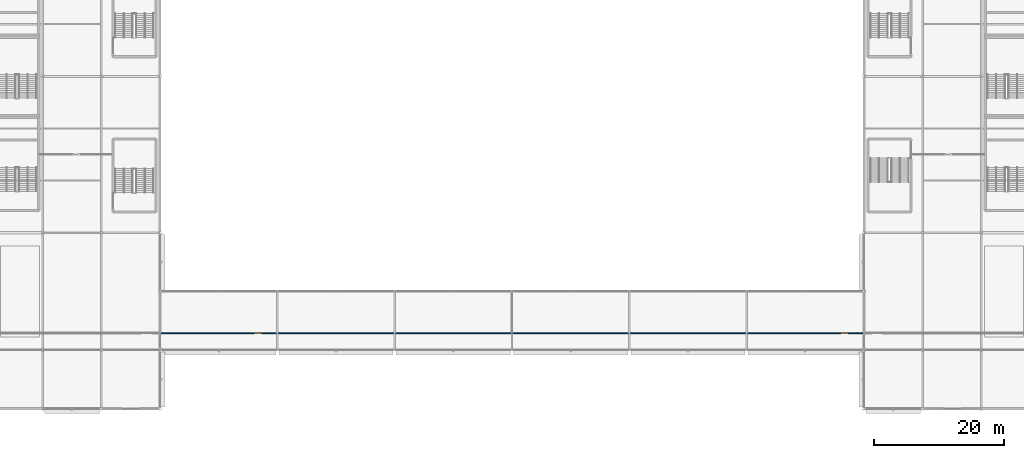
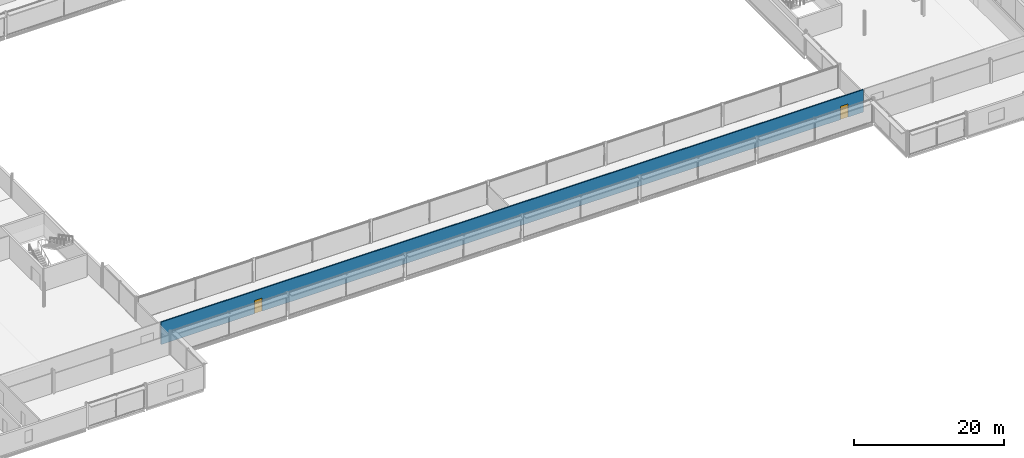
# One storey, part 55 of 96: 2 doors, 1 wall, 2 openings.
"""IFC4 building model written with IfcOpenShell, lengths in metres."""

from ifc_helpers import new_model, si_unit, direction, frame, frame_2d, origin, place, context, subcontext, project, spatial, rectangle, extrude, material, layer, layer_set, type_object, element, fill, save


model = new_model("IFC4")

# Units and contexts
model_context = context("Model", 3, precision=1e-05, world=origin(), true_north=direction((0.0, 1.0)))
body_context = subcontext(model_context, "Body", "Model", "MODEL_VIEW")
ifc_project = project(units=[si_unit("LENGTHUNIT", "METRE"), si_unit("AREAUNIT", "SQUARE_METRE"), si_unit("VOLUMEUNIT", "CUBIC_METRE"), si_unit("PLANEANGLEUNIT", "RADIAN"), si_unit("MASSUNIT", "GRAM", prefix="KILO")], contexts=[model_context])

# Site, building, storey
site_placement = place(None, origin())
site = spatial("IfcSite", under=ifc_project, at=site_placement, CompositionType="ELEMENT")
building_placement = place(site_placement, origin())
building = spatial("IfcBuilding", under=site, at=building_placement, Name="Kisiwana Market Hall", CompositionType="ELEMENT")
storey_placement = place(building_placement, frame((0.0, 0.0, 25.5)))
storey = spatial("IfcBuildingStorey", under=building, at=storey_placement, Name="L05", CompositionType="ELEMENT", Elevation=25.5)

# Wall, openings, doors
ifc_material_1 = material(Name="Masonry blockwork", Category="masonry")
ifc_layer = layer(ifc_material_1, 0.169921875, Name="Protected corridor partition")
ifc_layer_set = layer_set([ifc_layer], Name="WL-CORR-170")
wall_type = type_object("IfcWallType", Name="WL-CORR-170", PredefinedType="PARTITIONING", material=ifc_layer_set)
wall_placement = place(storey_placement, frame((45.0849609375, 20.60009765625, 0.0), z_axis=(0.0, 0.0, 1.0), x_axis=(1.0, 0.0, 0.0)))
wall = element("IfcWall", 1, at=wall_placement, inside=storey, type_object=wall_type, Name="Interior partition W-1887", PredefinedType="PARTITIONING", context=body_context, shape_type="SweptSolid", body=[
    extrude(rectangle(XDim=107.830078125, YDim=0.169921875, at=frame_2d((53.9150390625, 0.0))), origin(), (0.0, 0.0, 1.0), 3.655029296875),
])
opening_1_placement = place(wall_placement, frame((14.340087890625, 0.0, 0.0)))
opening_1 = element("IfcOpeningElement", 2, at=opening_1_placement, cuts=wall, Name="Opening DR-L05-065", PredefinedType="OPENING", context=body_context, shape_type="SweptSolid", body=[
    extrude(rectangle(XDim=1.14990234375, YDim=2.14990234375, at=frame_2d((0.574951171875, 1.074951171875))), frame((0.0, 0.096923828125, 0.0), z_axis=(0.0, -1.0, 0.0), x_axis=(1.0, 0.0, 0.0)), (0.0, 0.0, 1.0), 0.19384765625),
])
opening_2_placement = place(wall_placement, frame((104.340087890625, 0.0, 0.0)))
opening_2 = element("IfcOpeningElement", 3, at=opening_2_placement, cuts=wall, Name="Opening DR-L05-066", PredefinedType="OPENING", context=body_context, shape_type="SweptSolid", body=[
    extrude(rectangle(XDim=1.14990234375, YDim=2.14990234375, at=frame_2d((0.574951171875, 1.074951171875))), frame((0.0, 0.096923828125, 0.0), z_axis=(0.0, -1.0, 0.0), x_axis=(1.0, 0.0, 0.0)), (0.0, 0.0, 1.0), 0.19384765625),
])
ifc_material_2 = material(Name="Aluminium alloy 6063-T6", Category="aluminium")
door_type = type_object("IfcDoorType", Name="DR-MEET-1150", OperationType="NOTDEFINED", PredefinedType="DOOR", material=ifc_material_2)
door_1_placement = place(opening_1_placement, origin())
door_1 = element("IfcDoor", 4, at=door_1_placement, inside=storey, type_object=door_type, Name="L05 Skybridge S1 Door", OperationType="SINGLE_SWING_LEFT", OverallHeight=2.14990234375, OverallWidth=1.14990234375, PredefinedType="DOOR", context=body_context, shape_type="SweptSolid", body=[
    extrude(rectangle(XDim=1.14990234375, YDim=2.14990234375, at=frame_2d((0.574951171875, 1.074951171875))), frame((0.0, 0.02490234375, 0.0), z_axis=(0.0, -1.0, 0.0), x_axis=(1.0, 0.0, 0.0)), (0.0, 0.0, 1.0), 0.050048828125),
])
fill(opening_1, door_1)
door_2_placement = place(opening_2_placement, origin())
door_2 = element("IfcDoor", 5, at=door_2_placement, inside=storey, type_object=door_type, Name="L05 Skybridge S2 Door", OperationType="SINGLE_SWING_RIGHT", OverallHeight=2.14990234375, OverallWidth=1.14990234375, PredefinedType="DOOR", context=body_context, shape_type="SweptSolid", body=[
    extrude(rectangle(XDim=1.14990234375, YDim=2.14990234375, at=frame_2d((0.574951171875, 1.074951171875))), frame((0.0, 0.02490234375, 0.0), z_axis=(0.0, -1.0, 0.0), x_axis=(1.0, 0.0, 0.0)), (0.0, 0.0, 1.0), 0.050048828125),
])
fill(opening_2, door_2)

save(model, "model.ifc")
